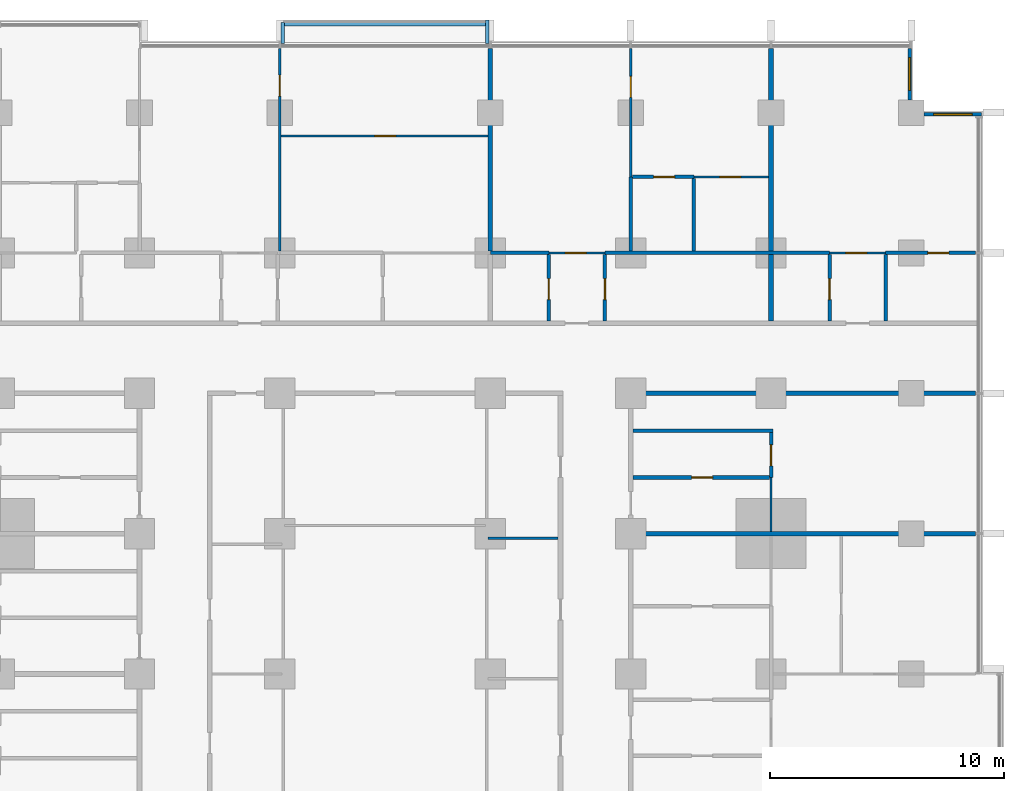
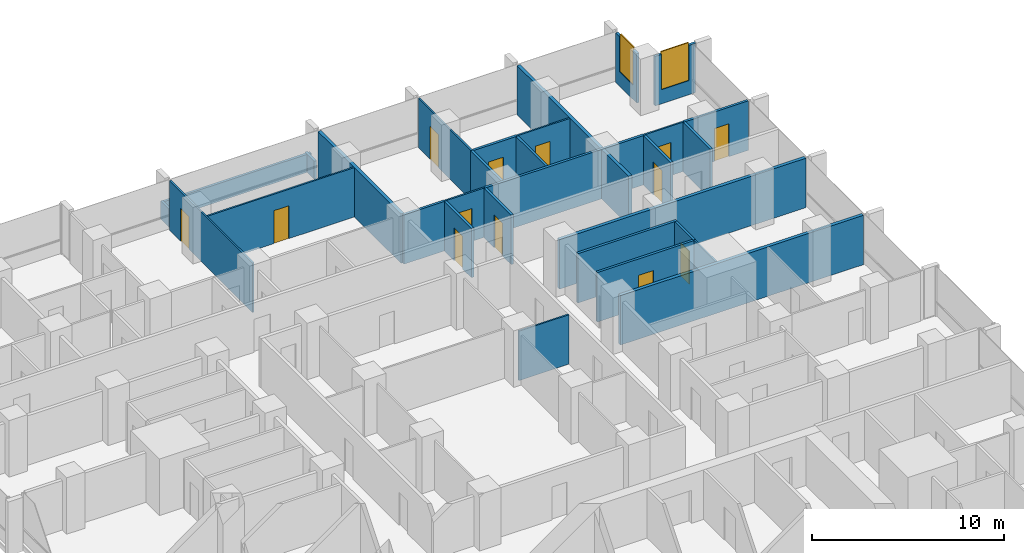
# One storey, part 12 of 18: 31 walls, 13 doors, 2 windows, 15 openings.
"""IFC4 building model written with IfcOpenShell, lengths in metres."""

import ifcopenshell
import ifcopenshell.guid

model = None  # the IFC model being written
_history = None  # IfcOwnerHistory: only IFC2X3 demands one
_inside = {}  # id of a spatial element -> (the spatial element, [elements in it])
_under = {}  # id of a project, library or spatial element -> (it, [spatial elements below it])
_declared = {}  # id of a project -> (the project, [libraries it declares])
_typed = {}  # id of a type object -> (the type object, [elements of that type])
_made_of = {}  # id of a material, layer set ... -> (it, [elements and type objects made of it])


def new_model(schema):
    """Start an empty IFC model of exactly this schema.

    Asked for "IFC4X3", IfcOpenShell would pick the latest addendum, in which some entities
    have other attributes; the version numbers below select the first issue.
    IFC2X3 requires an IfcOwnerHistory on every rooted entity: one is made here for all.
    """
    global model, _history
    if schema == "IFC4X3":
        model = ifcopenshell.file(schema_version=(4, 3, 0, 0))
    else:
        model = ifcopenshell.file(schema=schema)
    _inside.clear()
    _under.clear()
    _declared.clear()
    _typed.clear()
    _made_of.clear()
    _history = None
    if model.schema == "IFC2X3":
        org = make("IfcOrganization", Name="unknown")
        user = make(
            "IfcPersonAndOrganization",
            ThePerson=make("IfcPerson", FamilyName="unknown"),
            TheOrganization=org,
        )
        app = make(
            "IfcApplication",
            ApplicationDeveloper=org,
            Version="unknown",
            ApplicationFullName="unknown",
            ApplicationIdentifier="unknown",
        )
        _history = make(
            "IfcOwnerHistory",
            OwningUser=user,
            OwningApplication=app,
            ChangeAction="ADDED",
            CreationDate=0,
        )
    return model


def make(cls, **values):
    """One entity of the class cls with the attributes given. An attribute that is None is left unset."""
    return model.create_entity(
        cls, **{name: value for name, value in values.items() if value is not None}
    )


def rooted(cls, **values):
    """An entity with a GlobalId (a new one), such as an element, a storey or a relation."""
    return make(cls, GlobalId=ifcopenshell.guid.new(), OwnerHistory=_history, **values)


def si_unit(unit_type, name, prefix=None):
    """IfcSIUnit, for example si_unit("LENGTHUNIT", "METRE", prefix="MILLI")."""
    return make("IfcSIUnit", UnitType=unit_type, Prefix=prefix, Name=name)


def assignment(units):
    """IfcUnitAssignment: the units of a project."""
    return None if units is None else make("IfcUnitAssignment", Units=units)


def point(xyz):
    """IfcCartesianPoint."""
    return None if xyz is None else make("IfcCartesianPoint", Coordinates=xyz)


def direction(xyz):
    """IfcDirection."""
    return None if xyz is None else make("IfcDirection", DirectionRatios=xyz)


def frame(location, z_axis=None, x_axis=None):
    """IfcAxis2Placement3D, a coordinate frame: its origin and axes. An axis left out is left unset."""
    return make(
        "IfcAxis2Placement3D",
        Location=point(location),
        Axis=direction(z_axis),
        RefDirection=direction(x_axis),
    )


def frame_2d(location, x_axis=None):
    """IfcAxis2Placement2D, a coordinate frame in the plane: its origin and x axis."""
    return make(
        "IfcAxis2Placement2D", Location=point(location), RefDirection=direction(x_axis)
    )


def origin():
    """The frame at (0, 0, 0) with its axes left unset."""
    return frame((0.0, 0.0, 0.0))


def place(relative_to, where):
    """IfcLocalPlacement: puts the frame where relative to a parent placement (None: the world)."""
    return make(
        "IfcLocalPlacement", PlacementRelTo=relative_to, RelativePlacement=where
    )


def context(
    kind, dimensions, precision=None, world=None, true_north=None, identifier=None
):
    """IfcGeometricRepresentationContext, for example the 3D "Model" context."""
    return make(
        "IfcGeometricRepresentationContext",
        ContextIdentifier=identifier,
        ContextType=kind,
        CoordinateSpaceDimension=dimensions,
        Precision=precision,
        WorldCoordinateSystem=world,
        TrueNorth=true_north,
    )


def subcontext(parent, identifier, kind, view, scale=None):
    """IfcGeometricRepresentationSubContext, for example "Body" below "Model"."""
    return make(
        "IfcGeometricRepresentationSubContext",
        ContextIdentifier=identifier,
        ContextType=kind,
        ParentContext=parent,
        TargetScale=scale,
        TargetView=view,
    )


def project(units=None, contexts=None):
    """IfcProject with its units and contexts."""
    return rooted(
        "IfcProject",
        Name="project",
        RepresentationContexts=contexts,
        UnitsInContext=assignment(units),
    )


def spatial(cls, under=None, at=None, **own):
    """A site, building, storey or space (cls), placed at a placement, below another one or the project."""
    s = rooted(cls, ObjectPlacement=at, **own)
    if under is not None:
        _under.setdefault(under.id(), (under, []))[1].append(s)
    return s


def profile(cls, at=None, kind="AREA", **sizes):
    """A parametric profile (cls). Its sizes go by their IFC names, for example OverallWidth=200.0."""
    return make(cls, ProfileType=kind, Position=at, **sizes)


def rectangle(**sizes):
    """IfcRectangleProfileDef."""
    return profile("IfcRectangleProfileDef", **sizes)


def extrude(swept, where, along, depth):
    """IfcExtrudedAreaSolid: the profile swept, set in the frame where, extruded along a direction by depth."""
    return make(
        "IfcExtrudedAreaSolid",
        SweptArea=swept,
        Position=where,
        ExtrudedDirection=direction(along),
        Depth=depth,
    )


def shape(context_of_items, identifier, shape_type, items):
    """IfcShapeRepresentation: the items that make up one representation, for example the "Body"."""
    return make(
        "IfcShapeRepresentation",
        ContextOfItems=context_of_items,
        RepresentationIdentifier=identifier,
        RepresentationType=shape_type,
        Items=items,
    )


def material(Name=None, Category=None):
    """IfcMaterial."""
    return make("IfcMaterial", Name=Name, Category=Category)


def layer(
    of_material, thickness, ventilated=None, Name=None, Category=None, Priority=None
):
    """IfcMaterialLayer: one layer of a wall or slab, of a material (None: an air gap)."""
    return make(
        "IfcMaterialLayer",
        Material=of_material,
        LayerThickness=thickness,
        IsVentilated=ventilated,
        Name=Name,
        Category=Category,
        Priority=Priority,
    )


def layer_set(layers, Name=None):
    """IfcMaterialLayerSet."""
    return make("IfcMaterialLayerSet", MaterialLayers=layers, LayerSetName=Name)


def made_of(thing, what):
    """Note that an element or type object is made of a material, layer set ...; save() writes the relation."""
    if what is not None:
        _made_of.setdefault(what.id(), (what, []))[1].append(thing)
    return thing


def type_object(cls, material=None, **own):
    """A type object (cls), such as IfcWallType, which elements share."""
    return made_of(rooted(cls, **own), material)


def element(
    cls,
    number,
    at=None,
    inside=None,
    cuts=None,
    type_object=None,
    material=None,
    context=None,
    identifier="Body",
    shape_type=None,
    held_by="IfcProductDefinitionShape",
    body=None,
    shapes=None,
    **own,
):
    """One element of the class cls, such as IfcWall. Its Tag is "e" and its number.

    at: its placement. inside: the storey or other place that contains it. cuts: it is an
    opening in that element (IfcRelVoidsElement). A single representation is given by context,
    identifier, shape_type and body (its items); several are given by shapes. held_by: the class
    of the entity that holds the representations. save() writes the other relations.
    """
    e = rooted(cls, Tag="e%d" % number, ObjectPlacement=at, **own)
    if body is not None:
        shapes = [shape(context, identifier, shape_type, body)]
    if shapes is not None:
        e.Representation = make(held_by, Representations=shapes)
    if inside is not None:
        _inside.setdefault(inside.id(), (inside, []))[1].append(e)
    if cuts is not None:
        rooted(
            "IfcRelVoidsElement", RelatingBuildingElement=cuts, RelatedOpeningElement=e
        )
    if type_object is not None:
        _typed.setdefault(type_object.id(), (type_object, []))[1].append(e)
    return made_of(e, material)


def fill(opening, filler):
    """IfcRelFillsElement: the door or window that sits in an opening."""
    return rooted(
        "IfcRelFillsElement",
        RelatingOpeningElement=opening,
        RelatedBuildingElement=filler,
    )


def aggregate(whole, parts):
    """IfcRelAggregates: a whole, such as a stair, and the parts it consists of."""
    return rooted("IfcRelAggregates", RelatingObject=whole, RelatedObjects=parts)


def save(model, path):
    """Write the relations noted so far, then the file.

    IfcRelAggregates (storeys below a building ...), IfcRelContainedInSpatialStructure (elements
    in a storey), IfcRelDefinesByType, IfcRelAssociatesMaterial and IfcRelDeclares: one each for
    every whole, place, type object, material and project.
    """
    for whole, parts in _under.values():
        aggregate(whole, parts)
    for where, things in _inside.values():
        rooted(
            "IfcRelContainedInSpatialStructure",
            RelatedElements=things,
            RelatingStructure=where,
        )
    for kind, things in _typed.values():
        rooted("IfcRelDefinesByType", RelatedObjects=things, RelatingType=kind)
    for what, things in _made_of.values():
        rooted("IfcRelAssociatesMaterial", RelatedObjects=things, RelatingMaterial=what)
    for by, libraries in _declared.values():
        rooted("IfcRelDeclares", RelatingContext=by, RelatedDefinitions=libraries)
    model.write(path)


model = new_model("IFC4")

# Units and contexts
model_context = context("Model", 3, precision=1e-05, world=origin(), true_north=direction((0.0, 1.0)))
body_context = subcontext(model_context, "Body", "Model", "MODEL_VIEW")
ifc_project = project(units=[si_unit("LENGTHUNIT", "METRE"), si_unit("AREAUNIT", "SQUARE_METRE"), si_unit("VOLUMEUNIT", "CUBIC_METRE"), si_unit("PLANEANGLEUNIT", "RADIAN"), si_unit("MASSUNIT", "GRAM", prefix="KILO")], contexts=[model_context])

# Site, building, storey
site_placement = place(None, origin())
site = spatial("IfcSite", under=ifc_project, at=site_placement, CompositionType="ELEMENT")
building_placement = place(site_placement, origin())
building = spatial("IfcBuilding", under=site, at=building_placement, Name="Finial Court Residences", CompositionType="ELEMENT")
storey_placement = place(building_placement, frame((0.0, 0.0, 72.10009765625)))
storey = spatial("IfcBuildingStorey", under=building, at=storey_placement, Name="L17", CompositionType="ELEMENT", Elevation=72.10009765625)

# Walls
ifc_material_1 = material(Name="Gypsum board")
ifc_layer_1 = layer(ifc_material_1, 0.02490234375)
ifc_material_2 = material(Name="Acoustic mineral wool in double frame")
ifc_layer_2 = layer(ifc_material_2, 0.14990234375)
ifc_layer_3 = layer(ifc_material_1, 0.02490234375)
ifc_layer_set_1 = layer_set([ifc_layer_1, ifc_layer_2, ifc_layer_3], Name="Acoustic party wall 200, 1 hour")
wall_type_1 = type_object("IfcWallType", Name="Acoustic party wall 200, 1 hour", PredefinedType="PARTITIONING", material=ifc_layer_set_1)
wall_1_placement = place(storey_placement, frame((10.60009765625, 7.5, 0.0), z_axis=(0.0, 0.0, 1.0), x_axis=(1.0, 0.0, 0.0)))
element("IfcWall", 1, at=wall_1_placement, inside=storey, type_object=wall_type_1, Name="Partition L17-026", PredefinedType="PARTITIONING", context=body_context, shape_type="SweptSolid", body=[
    extrude(rectangle(XDim=14.64990234375, YDim=0.199951171875, at=frame_2d((7.324951171875, 0.0))), origin(), (0.0, 0.0, 1.0), 3.14990234375),
])
wall_2_placement = place(storey_placement, frame((4.5, 19.574951171875, 0.0), z_axis=(0.0, 0.0, 1.0), x_axis=(0.0, 1.0, 0.0)))
element("IfcWall", 2, at=wall_2_placement, inside=storey, type_object=wall_type_1, Name="Partition L17-080", PredefinedType="PARTITIONING", context=body_context, shape_type="SweptSolid", body=[
    extrude(rectangle(XDim=8.675048828125, YDim=0.199951171875, at=frame_2d((4.33740234375, 0.0))), origin(), (0.0, 0.0, 1.0), 3.14990234375),
])
wall_3_placement = place(storey_placement, frame((16.5, 16.60009765625, 0.0), z_axis=(0.0, 0.0, 1.0), x_axis=(0.0, 1.0, 0.0)))
element("IfcWall", 3, at=wall_3_placement, inside=storey, type_object=wall_type_1, Name="Partition L17-092", PredefinedType="PARTITIONING", context=body_context, shape_type="SweptSolid", body=[
    extrude(rectangle(XDim=2.824951171875, YDim=0.199951171875, at=frame_2d((1.41259765625, 0.0))), origin(), (0.0, 0.0, 1.0), 3.14990234375),
])
wall_4_placement = place(storey_placement, frame((16.5, 19.574951171875, 0.0), z_axis=(0.0, 0.0, 1.0), x_axis=(0.0, 1.0, 0.0)))
element("IfcWall", 4, at=wall_4_placement, inside=storey, type_object=wall_type_1, Name="Partition L17-093", PredefinedType="PARTITIONING", context=body_context, shape_type="SweptSolid", body=[
    extrude(rectangle(XDim=8.675048828125, YDim=0.199951171875, at=frame_2d((4.33740234375, 0.0))), origin(), (0.0, 0.0, 1.0), 3.14990234375),
])
ifc_layer_4 = layer(ifc_material_1, 0.02490234375)
ifc_layer_5 = layer(ifc_material_2, 0.14990234375)
ifc_layer_6 = layer(ifc_material_1, 0.02490234375)
ifc_layer_set_2 = layer_set([ifc_layer_4, ifc_layer_5, ifc_layer_6], Name="Corridor wall 200, 1 hour")
wall_type_2 = type_object("IfcWallType", Name="Corridor wall 200, 1 hour", PredefinedType="PARTITIONING", material=ifc_layer_set_2)
wall_5_placement = place(storey_placement, frame((10.39990234375, 13.5, 0.0), z_axis=(0.0, 0.0, 1.0), x_axis=(1.0, 0.0, 0.0)))
element("IfcWall", 5, at=wall_5_placement, inside=storey, type_object=wall_type_2, Name="Partition L17-034", PredefinedType="PARTITIONING", context=body_context, shape_type="SweptSolid", body=[
    extrude(rectangle(XDim=14.85009765625, YDim=0.199951171875, at=frame_2d((7.425048828125, 0.0))), origin(), (0.0, 0.0, 1.0), 3.14990234375),
])
ifc_layer_7 = layer(ifc_material_1, 0.012451171875)
ifc_material_3 = material(Name="Mineral wool in light-gauge frame")
ifc_layer_8 = layer(ifc_material_3, 0.074951171875)
ifc_layer_9 = layer(ifc_material_1, 0.012451171875)
ifc_layer_set_3 = layer_set([ifc_layer_7, ifc_layer_8, ifc_layer_9], Name="Gypsum board partition 100")
wall_type_3 = type_object("IfcWallType", Name="Gypsum board partition 100", PredefinedType="PARTITIONING", material=ifc_layer_set_3)
wall_6_placement = place(storey_placement, frame((4.39990234375, 7.300048828125, 0.0), z_axis=(0.0, 0.0, 1.0), x_axis=(1.0, 0.0, 0.0)))
element("IfcWall", 6, at=wall_6_placement, inside=storey, type_object=wall_type_3, Name="Partition L17-024", PredefinedType="PARTITIONING", context=body_context, shape_type="SweptSolid", body=[
    extrude(rectangle(XDim=3.0, YDim=0.10009765625, at=frame_2d((1.5, 0.0))), origin(), (0.0, 0.0, 1.0), 3.14990234375),
])

# Wall, opening, door
wall_7_placement = place(storey_placement, frame((7.0, 19.5, 0.0), z_axis=(0.0, 0.0, 1.0), x_axis=(1.0, 0.0, 0.0)))
wall_7 = element("IfcWall", 7, at=wall_7_placement, inside=storey, type_object=wall_type_3, Name="Partition L17-040", PredefinedType="PARTITIONING", context=body_context, shape_type="SweptSolid", body=[
    extrude(rectangle(XDim=2.39990234375, YDim=0.10009765625, at=frame_2d((1.199951171875, 0.0))), origin(), (0.0, 0.0, 1.0), 3.14990234375),
])
opening_1_placement = place(wall_7_placement, frame((0.699951171875, 0.0, 0.0)))
opening_1 = element("IfcOpeningElement", 8, at=opening_1_placement, cuts=wall_7, Name="Opening L17-D023", PredefinedType="OPENING", context=body_context, shape_type="SweptSolid", body=[
    extrude(rectangle(XDim=0.89990234375, YDim=2.10009765625, at=frame_2d((0.449951171875, 1.050048828125))), frame((0.0, 0.06005859375, 0.0), z_axis=(0.0, -1.0, 0.0), x_axis=(1.0, 0.0, 0.0)), (0.0, 0.0, 1.0), 0.1201171875),
])
ifc_material_4 = material(Name="Timber door leaf in timber frame", Category="wood")
door_type = type_object("IfcDoorType", Name="Door set 900 x 2100", OperationType="SINGLE_SWING_LEFT", PredefinedType="DOOR", material=ifc_material_4)
door_1_placement = place(opening_1_placement, origin())
door_1 = element("IfcDoor", 9, at=door_1_placement, inside=storey, type_object=door_type, Name="Door L17-D023", OperationType="SINGLE_SWING_RIGHT", OverallHeight=2.10009765625, OverallWidth=0.89990234375, PredefinedType="DOOR", context=body_context, shape_type="SweptSolid", body=[
    extrude(rectangle(XDim=0.89990234375, YDim=2.10009765625, at=frame_2d((0.449951171875, 1.050048828125))), frame((0.0, 0.02490234375, 0.0), z_axis=(0.0, -1.0, 0.0), x_axis=(1.0, 0.0, 0.0)), (0.0, 0.0, 1.0), 0.050048828125),
])
fill(opening_1, door_1)

wall_8_placement = place(storey_placement, frame((19.0, 19.5, 0.0), z_axis=(0.0, 0.0, 1.0), x_axis=(1.0, 0.0, 0.0)))
wall_8 = element("IfcWall", 10, at=wall_8_placement, inside=storey, type_object=wall_type_3, Name="Partition L17-041", PredefinedType="PARTITIONING", context=body_context, shape_type="SweptSolid", body=[
    extrude(rectangle(XDim=2.39990234375, YDim=0.10009765625, at=frame_2d((1.199951171875, 0.0))), origin(), (0.0, 0.0, 1.0), 3.14990234375),
])
opening_2_placement = place(wall_8_placement, frame((0.699951171875, 0.0, 0.0)))
opening_2 = element("IfcOpeningElement", 11, at=opening_2_placement, cuts=wall_8, Name="Opening L17-D024", PredefinedType="OPENING", context=body_context, shape_type="SweptSolid", body=[
    extrude(rectangle(XDim=0.89990234375, YDim=2.10009765625, at=frame_2d((0.449951171875, 1.050048828125))), frame((0.0, 0.06005859375, 0.0), z_axis=(0.0, -1.0, 0.0), x_axis=(1.0, 0.0, 0.0)), (0.0, 0.0, 1.0), 0.1201171875),
])
door_2_placement = place(opening_2_placement, origin())
door_2 = element("IfcDoor", 12, at=door_2_placement, inside=storey, type_object=door_type, Name="Door L17-D024", OperationType="SINGLE_SWING_RIGHT", OverallHeight=2.10009765625, OverallWidth=0.89990234375, PredefinedType="DOOR", context=body_context, shape_type="SweptSolid", body=[
    extrude(rectangle(XDim=0.89990234375, YDim=2.10009765625, at=frame_2d((0.449951171875, 1.050048828125))), frame((0.0, 0.02490234375, 0.0), z_axis=(0.0, -1.0, 0.0), x_axis=(1.0, 0.0, 0.0)), (0.0, 0.0, 1.0), 0.050048828125),
])
fill(opening_2, door_2)

wall_9_placement = place(storey_placement, frame((13.199951171875, 22.75, 0.0), z_axis=(0.0, 0.0, 1.0), x_axis=(1.0, 0.0, 0.0)))
wall_9 = element("IfcWall", 13, at=wall_9_placement, inside=storey, type_object=wall_type_3, Name="Partition L17-051", PredefinedType="PARTITIONING", context=body_context, shape_type="SweptSolid", body=[
    extrude(rectangle(XDim=3.199951171875, YDim=0.10009765625, at=frame_2d((1.60009765625, 0.0))), origin(), (0.0, 0.0, 1.0), 3.14990234375),
])
opening_3_placement = place(wall_9_placement, frame((1.10009765625, 0.0, 0.0)))
opening_3 = element("IfcOpeningElement", 14, at=opening_3_placement, cuts=wall_9, Name="Opening L17-D029", PredefinedType="OPENING", context=body_context, shape_type="SweptSolid", body=[
    extrude(rectangle(XDim=0.89990234375, YDim=2.10009765625, at=frame_2d((0.449951171875, 1.050048828125))), frame((0.0, 0.06005859375, 0.0), z_axis=(0.0, -1.0, 0.0), x_axis=(1.0, 0.0, 0.0)), (0.0, 0.0, 1.0), 0.1201171875),
])
door_3_placement = place(opening_3_placement, origin())
door_3 = element("IfcDoor", 15, at=door_3_placement, inside=storey, type_object=door_type, Name="Door L17-D029", OperationType="SINGLE_SWING_LEFT", OverallHeight=2.10009765625, OverallWidth=0.89990234375, PredefinedType="DOOR", context=body_context, shape_type="SweptSolid", body=[
    extrude(rectangle(XDim=0.89990234375, YDim=2.10009765625, at=frame_2d((0.449951171875, 1.050048828125))), frame((0.0, 0.02490234375, 0.0), z_axis=(0.0, -1.0, 0.0), x_axis=(1.0, 0.0, 0.0)), (0.0, 0.0, 1.0), 0.050048828125),
])
fill(opening_3, door_3)

wall_10_placement = place(storey_placement, frame((-4.449951171875, 24.5, 0.0), z_axis=(0.0, 0.0, 1.0), x_axis=(1.0, 0.0, 0.0)))
wall_10 = element("IfcWall", 16, at=wall_10_placement, inside=storey, type_object=wall_type_3, Name="Partition L17-053", PredefinedType="PARTITIONING", context=body_context, shape_type="SweptSolid", body=[
    extrude(rectangle(XDim=8.849853515625, YDim=0.10009765625, at=frame_2d((4.4248046875, 0.0))), origin(), (0.0, 0.0, 1.0), 3.14990234375),
])
opening_4_placement = place(wall_10_placement, frame((4.0, 0.0, 0.0)))
opening_4 = element("IfcOpeningElement", 17, at=opening_4_placement, cuts=wall_10, Name="Opening L17-D031", PredefinedType="OPENING", context=body_context, shape_type="SweptSolid", body=[
    extrude(rectangle(XDim=0.89990234375, YDim=2.10009765625, at=frame_2d((0.449951171875, 1.050048828125))), frame((0.0, 0.06005859375, 0.0), z_axis=(0.0, -1.0, 0.0), x_axis=(1.0, 0.0, 0.0)), (0.0, 0.0, 1.0), 0.1201171875),
])
door_4_placement = place(opening_4_placement, origin())
door_4 = element("IfcDoor", 18, at=door_4_placement, inside=storey, type_object=door_type, Name="Door L17-D031", OperationType="SINGLE_SWING_LEFT", OverallHeight=2.10009765625, OverallWidth=0.89990234375, PredefinedType="DOOR", context=body_context, shape_type="SweptSolid", body=[
    extrude(rectangle(XDim=0.89990234375, YDim=2.10009765625, at=frame_2d((0.449951171875, 1.050048828125))), frame((0.0, 0.02490234375, 0.0), z_axis=(0.0, -1.0, 0.0), x_axis=(1.0, 0.0, 0.0)), (0.0, 0.0, 1.0), 0.050048828125),
])
fill(opening_4, door_4)

wall_11_placement = place(storey_placement, frame((-4.5, 19.574951171875, 0.0), z_axis=(0.0, 0.0, 1.0), x_axis=(0.0, 1.0, 0.0)))
wall_11 = element("IfcWall", 19, at=wall_11_placement, inside=storey, type_object=wall_type_3, Name="Partition L17-075", PredefinedType="PARTITIONING", context=body_context, shape_type="SweptSolid", body=[
    extrude(rectangle(XDim=8.675048828125, YDim=0.10009765625, at=frame_2d((4.33740234375, 0.0))), origin(), (0.0, 0.0, 1.0), 3.14990234375),
])
opening_5_placement = place(wall_11_placement, frame((6.625, 0.0, 0.0)))
opening_5 = element("IfcOpeningElement", 20, at=opening_5_placement, cuts=wall_11, Name="Opening L17-D048", PredefinedType="OPENING", context=body_context, shape_type="SweptSolid", body=[
    extrude(rectangle(XDim=0.89990234375, YDim=2.10009765625, at=frame_2d((0.449951171875, 1.050048828125))), frame((0.0, 0.06005859375, 0.0), z_axis=(0.0, -1.0, 0.0), x_axis=(1.0, 0.0, 0.0)), (0.0, 0.0, 1.0), 0.1201171875),
])
door_5_placement = place(opening_5_placement, origin())
door_5 = element("IfcDoor", 21, at=door_5_placement, inside=storey, type_object=door_type, Name="Door L17-D048", OperationType="SINGLE_SWING_RIGHT", OverallHeight=2.10009765625, OverallWidth=0.89990234375, PredefinedType="DOOR", context=body_context, shape_type="SweptSolid", body=[
    extrude(rectangle(XDim=0.89990234375, YDim=2.10009765625, at=frame_2d((0.449951171875, 1.050048828125))), frame((0.0, 0.02490234375, 0.0), z_axis=(0.0, -1.0, 0.0), x_axis=(1.0, 0.0, 0.0)), (0.0, 0.0, 1.0), 0.050048828125),
])
fill(opening_5, door_5)

wall_12_placement = place(storey_placement, frame((10.5, 22.75, 0.0), z_axis=(0.0, 0.0, 1.0), x_axis=(0.0, 1.0, 0.0)))
wall_12 = element("IfcWall", 22, at=wall_12_placement, inside=storey, type_object=wall_type_3, Name="Partition L17-085", PredefinedType="PARTITIONING", context=body_context, shape_type="SweptSolid", body=[
    extrude(rectangle(XDim=5.5, YDim=0.10009765625, at=frame_2d((2.75, 0.0))), origin(), (0.0, 0.0, 1.0), 3.14990234375),
])
opening_6_placement = place(wall_12_placement, frame((3.39990234375, 0.0, 0.0)))
opening_6 = element("IfcOpeningElement", 23, at=opening_6_placement, cuts=wall_12, Name="Opening L17-D057", PredefinedType="OPENING", context=body_context, shape_type="SweptSolid", body=[
    extrude(rectangle(XDim=0.89990234375, YDim=2.10009765625, at=frame_2d((0.449951171875, 1.050048828125))), frame((0.0, 0.06005859375, 0.0), z_axis=(0.0, -1.0, 0.0), x_axis=(1.0, 0.0, 0.0)), (0.0, 0.0, 1.0), 0.1201171875),
])
door_6_placement = place(opening_6_placement, origin())
door_6 = element("IfcDoor", 24, at=door_6_placement, inside=storey, type_object=door_type, Name="Door L17-D057", OperationType="SINGLE_SWING_RIGHT", OverallHeight=2.10009765625, OverallWidth=0.89990234375, PredefinedType="DOOR", context=body_context, shape_type="SweptSolid", body=[
    extrude(rectangle(XDim=0.89990234375, YDim=2.10009765625, at=frame_2d((0.449951171875, 1.050048828125))), frame((0.0, 0.02490234375, 0.0), z_axis=(0.0, -1.0, 0.0), x_axis=(1.0, 0.0, 0.0)), (0.0, 0.0, 1.0), 0.050048828125),
])
fill(opening_6, door_6)

# Wall
wall_13_placement = place(storey_placement, frame((16.5, 7.60009765625, 0.0), z_axis=(0.0, 0.0, 1.0), x_axis=(0.0, 1.0, 0.0)))
element("IfcWall", 25, at=wall_13_placement, inside=storey, type_object=wall_type_3, Name="Partition L17-091", PredefinedType="PARTITIONING", context=body_context, shape_type="SweptSolid", body=[
    extrude(rectangle(XDim=2.2998046875, YDim=0.10009765625, at=frame_2d((1.14990234375, 0.0))), origin(), (0.0, 0.0, 1.0), 3.14990234375),
])

# Wall, opening, door
ifc_material_5 = material(Name="Moisture-resistant gypsum board")
ifc_layer_10 = layer(ifc_material_5, 0.012451171875)
ifc_layer_11 = layer(ifc_material_3, 0.125)
ifc_layer_12 = layer(ifc_material_5, 0.012451171875)
ifc_layer_set_4 = layer_set([ifc_layer_10, ifc_layer_11, ifc_layer_12], Name="Gypsum board wet-area partition 150")
wall_type_4 = type_object("IfcWallType", Name="Gypsum board wet-area partition 150", PredefinedType="PARTITIONING", material=ifc_layer_set_4)
wall_14_placement = place(storey_placement, frame((10.60009765625, 9.89990234375, 0.0), z_axis=(0.0, 0.0, 1.0), x_axis=(1.0, 0.0, 0.0)))
wall_14 = element("IfcWall", 26, at=wall_14_placement, inside=storey, type_object=wall_type_4, Name="Partition L17-029", PredefinedType="PARTITIONING", context=body_context, shape_type="SweptSolid", body=[
    extrude(rectangle(XDim=5.824951171875, YDim=0.14990234375, at=frame_2d((2.91259765625, 0.0))), origin(), (0.0, 0.0, 1.0), 3.14990234375),
])
opening_7_placement = place(wall_14_placement, frame((2.5, 0.0, 0.0)))
opening_7 = element("IfcOpeningElement", 27, at=opening_7_placement, cuts=wall_14, Name="Opening L17-D014", PredefinedType="OPENING", context=body_context, shape_type="SweptSolid", body=[
    extrude(rectangle(XDim=0.89990234375, YDim=2.10009765625, at=frame_2d((0.449951171875, 1.050048828125))), frame((0.0, 0.0849609375, 0.0), z_axis=(0.0, -1.0, 0.0), x_axis=(1.0, 0.0, 0.0)), (0.0, 0.0, 1.0), 0.169921875),
])
door_7_placement = place(opening_7_placement, origin())
door_7 = element("IfcDoor", 28, at=door_7_placement, inside=storey, type_object=door_type, Name="Door L17-D014", OperationType="SINGLE_SWING_LEFT", OverallHeight=2.10009765625, OverallWidth=0.89990234375, PredefinedType="DOOR", context=body_context, shape_type="SweptSolid", body=[
    extrude(rectangle(XDim=0.89990234375, YDim=2.10009765625, at=frame_2d((0.449951171875, 1.050048828125))), frame((0.0, 0.02490234375, 0.0), z_axis=(0.0, -1.0, 0.0), x_axis=(1.0, 0.0, 0.0)), (0.0, 0.0, 1.0), 0.050048828125),
])
fill(opening_7, door_7)

# Walls
wall_15_placement = place(storey_placement, frame((10.60009765625, 11.89990234375, 0.0), z_axis=(0.0, 0.0, 1.0), x_axis=(1.0, 0.0, 0.0)))
element("IfcWall", 29, at=wall_15_placement, inside=storey, type_object=wall_type_4, Name="Partition L17-031", PredefinedType="PARTITIONING", context=body_context, shape_type="SweptSolid", body=[
    extrude(rectangle(XDim=5.974853515625, YDim=0.14990234375, at=frame_2d((2.9873046875, 0.0))), origin(), (0.0, 0.0, 1.0), 3.14990234375),
])
wall_16_placement = place(storey_placement, frame((4.5, 19.5, 0.0), z_axis=(0.0, 0.0, 1.0), x_axis=(1.0, 0.0, 0.0)))
element("IfcWall", 30, at=wall_16_placement, inside=storey, type_object=wall_type_4, Name="Partition L17-046", PredefinedType="PARTITIONING", context=body_context, shape_type="SweptSolid", body=[
    extrude(rectangle(XDim=2.5, YDim=0.14990234375, at=frame_2d((1.25, 0.0))), origin(), (0.0, 0.0, 1.0), 3.14990234375),
])
wall_17_placement = place(storey_placement, frame((9.39990234375, 19.5, 0.0), z_axis=(0.0, 0.0, 1.0), x_axis=(1.0, 0.0, 0.0)))
element("IfcWall", 31, at=wall_17_placement, inside=storey, type_object=wall_type_4, Name="Partition L17-047", PredefinedType="PARTITIONING", context=body_context, shape_type="SweptSolid", body=[
    extrude(rectangle(XDim=9.60009765625, YDim=0.14990234375, at=frame_2d((4.800048828125, 0.0))), origin(), (0.0, 0.0, 1.0), 3.14990234375),
])

# Wall, opening, door
wall_18_placement = place(storey_placement, frame((21.39990234375, 19.5, 0.0), z_axis=(0.0, 0.0, 1.0), x_axis=(1.0, 0.0, 0.0)))
wall_18 = element("IfcWall", 32, at=wall_18_placement, inside=storey, type_object=wall_type_4, Name="Partition L17-048", PredefinedType="PARTITIONING", context=body_context, shape_type="SweptSolid", body=[
    extrude(rectangle(XDim=3.85009765625, YDim=0.14990234375, at=frame_2d((1.925048828125, 0.0))), origin(), (0.0, 0.0, 1.0), 3.14990234375),
])
opening_8_placement = place(wall_18_placement, frame((1.800048828125, 0.0, 0.0)))
opening_8 = element("IfcOpeningElement", 33, at=opening_8_placement, cuts=wall_18, Name="Opening L17-D026", PredefinedType="OPENING", context=body_context, shape_type="SweptSolid", body=[
    extrude(rectangle(XDim=0.89990234375, YDim=2.10009765625, at=frame_2d((0.449951171875, 1.050048828125))), frame((0.0, 0.0849609375, 0.0), z_axis=(0.0, -1.0, 0.0), x_axis=(1.0, 0.0, 0.0)), (0.0, 0.0, 1.0), 0.169921875),
])
door_8_placement = place(opening_8_placement, origin())
door_8 = element("IfcDoor", 34, at=door_8_placement, inside=storey, type_object=door_type, Name="Door L17-D026", OperationType="SINGLE_SWING_RIGHT", OverallHeight=2.10009765625, OverallWidth=0.89990234375, PredefinedType="DOOR", context=body_context, shape_type="SweptSolid", body=[
    extrude(rectangle(XDim=0.89990234375, YDim=2.10009765625, at=frame_2d((0.449951171875, 1.050048828125))), frame((0.0, 0.02490234375, 0.0), z_axis=(0.0, -1.0, 0.0), x_axis=(1.0, 0.0, 0.0)), (0.0, 0.0, 1.0), 0.050048828125),
])
fill(opening_8, door_8)

wall_19_placement = place(storey_placement, frame((10.574951171875, 22.75, 0.0), z_axis=(0.0, 0.0, 1.0), x_axis=(1.0, 0.0, 0.0)))
wall_19 = element("IfcWall", 35, at=wall_19_placement, inside=storey, type_object=wall_type_4, Name="Partition L17-052", PredefinedType="PARTITIONING", context=body_context, shape_type="SweptSolid", body=[
    extrude(rectangle(XDim=2.625, YDim=0.14990234375, at=frame_2d((1.3125, 0.0))), origin(), (0.0, 0.0, 1.0), 3.14990234375),
])
opening_9_placement = place(wall_19_placement, frame((0.89990234375, 0.0, 0.0)))
opening_9 = element("IfcOpeningElement", 36, at=opening_9_placement, cuts=wall_19, Name="Opening L17-D030", PredefinedType="OPENING", context=body_context, shape_type="SweptSolid", body=[
    extrude(rectangle(XDim=0.89990234375, YDim=2.10009765625, at=frame_2d((0.449951171875, 1.050048828125))), frame((0.0, 0.0849609375, 0.0), z_axis=(0.0, -1.0, 0.0), x_axis=(1.0, 0.0, 0.0)), (0.0, 0.0, 1.0), 0.169921875),
])
door_9_placement = place(opening_9_placement, origin())
door_9 = element("IfcDoor", 37, at=door_9_placement, inside=storey, type_object=door_type, Name="Door L17-D030", OperationType="SINGLE_SWING_RIGHT", OverallHeight=2.10009765625, OverallWidth=0.89990234375, PredefinedType="DOOR", context=body_context, shape_type="SweptSolid", body=[
    extrude(rectangle(XDim=0.89990234375, YDim=2.10009765625, at=frame_2d((0.449951171875, 1.050048828125))), frame((0.0, 0.02490234375, 0.0), z_axis=(0.0, -1.0, 0.0), x_axis=(1.0, 0.0, 0.0)), (0.0, 0.0, 1.0), 0.050048828125),
])
fill(opening_9, door_9)

wall_20_placement = place(storey_placement, frame((7.0, 16.60009765625, 0.0), z_axis=(0.0, 0.0, 1.0), x_axis=(0.0, 1.0, 0.0)))
wall_20 = element("IfcWall", 38, at=wall_20_placement, inside=storey, type_object=wall_type_4, Name="Partition L17-081", PredefinedType="PARTITIONING", context=body_context, shape_type="SweptSolid", body=[
    extrude(rectangle(XDim=2.824951171875, YDim=0.14990234375, at=frame_2d((1.41259765625, 0.0))), origin(), (0.0, 0.0, 1.0), 3.14990234375),
])
opening_10_placement = place(wall_20_placement, frame((0.89990234375, 0.0, 0.0)))
opening_10 = element("IfcOpeningElement", 39, at=opening_10_placement, cuts=wall_20, Name="Opening L17-D050", PredefinedType="OPENING", context=body_context, shape_type="SweptSolid", body=[
    extrude(rectangle(XDim=0.89990234375, YDim=2.10009765625, at=frame_2d((0.449951171875, 1.050048828125))), frame((0.0, 0.0849609375, 0.0), z_axis=(0.0, -1.0, 0.0), x_axis=(1.0, 0.0, 0.0)), (0.0, 0.0, 1.0), 0.169921875),
])
door_10_placement = place(opening_10_placement, origin())
door_10 = element("IfcDoor", 40, at=door_10_placement, inside=storey, type_object=door_type, Name="Door L17-D050", OperationType="SINGLE_SWING_RIGHT", OverallHeight=2.10009765625, OverallWidth=0.89990234375, PredefinedType="DOOR", context=body_context, shape_type="SweptSolid", body=[
    extrude(rectangle(XDim=0.89990234375, YDim=2.10009765625, at=frame_2d((0.449951171875, 1.050048828125))), frame((0.0, 0.02490234375, 0.0), z_axis=(0.0, -1.0, 0.0), x_axis=(1.0, 0.0, 0.0)), (0.0, 0.0, 1.0), 0.050048828125),
])
fill(opening_10, door_10)

wall_21_placement = place(storey_placement, frame((9.39990234375, 16.60009765625, 0.0), z_axis=(0.0, 0.0, 1.0), x_axis=(0.0, 1.0, 0.0)))
wall_21 = element("IfcWall", 41, at=wall_21_placement, inside=storey, type_object=wall_type_4, Name="Partition L17-083", PredefinedType="PARTITIONING", context=body_context, shape_type="SweptSolid", body=[
    extrude(rectangle(XDim=2.824951171875, YDim=0.14990234375, at=frame_2d((1.41259765625, 0.0))), origin(), (0.0, 0.0, 1.0), 3.14990234375),
])
opening_11_placement = place(wall_21_placement, frame((0.89990234375, 0.0, 0.0)))
opening_11 = element("IfcOpeningElement", 42, at=opening_11_placement, cuts=wall_21, Name="Opening L17-D054", PredefinedType="OPENING", context=body_context, shape_type="SweptSolid", body=[
    extrude(rectangle(XDim=0.89990234375, YDim=2.10009765625, at=frame_2d((0.449951171875, 1.050048828125))), frame((0.0, 0.0849609375, 0.0), z_axis=(0.0, -1.0, 0.0), x_axis=(1.0, 0.0, 0.0)), (0.0, 0.0, 1.0), 0.169921875),
])
door_11_placement = place(opening_11_placement, origin())
door_11 = element("IfcDoor", 43, at=door_11_placement, inside=storey, type_object=door_type, Name="Door L17-D054", OperationType="SINGLE_SWING_RIGHT", OverallHeight=2.10009765625, OverallWidth=0.89990234375, PredefinedType="DOOR", context=body_context, shape_type="SweptSolid", body=[
    extrude(rectangle(XDim=0.89990234375, YDim=2.10009765625, at=frame_2d((0.449951171875, 1.050048828125))), frame((0.0, 0.02490234375, 0.0), z_axis=(0.0, -1.0, 0.0), x_axis=(1.0, 0.0, 0.0)), (0.0, 0.0, 1.0), 0.050048828125),
])
fill(opening_11, door_11)

# Walls
wall_22_placement = place(storey_placement, frame((10.5, 19.574951171875, 0.0), z_axis=(0.0, 0.0, 1.0), x_axis=(0.0, 1.0, 0.0)))
element("IfcWall", 44, at=wall_22_placement, inside=storey, type_object=wall_type_4, Name="Partition L17-086", PredefinedType="PARTITIONING", context=body_context, shape_type="SweptSolid", body=[
    extrude(rectangle(XDim=3.175048828125, YDim=0.14990234375, at=frame_2d((1.58740234375, 0.0))), origin(), (0.0, 0.0, 1.0), 3.14990234375),
])
wall_23_placement = place(storey_placement, frame((13.199951171875, 19.574951171875, 0.0), z_axis=(0.0, 0.0, 1.0), x_axis=(0.0, 1.0, 0.0)))
element("IfcWall", 45, at=wall_23_placement, inside=storey, type_object=wall_type_4, Name="Partition L17-087", PredefinedType="PARTITIONING", context=body_context, shape_type="SweptSolid", body=[
    extrude(rectangle(XDim=3.10009765625, YDim=0.14990234375, at=frame_2d((1.550048828125, 0.0))), origin(), (0.0, 0.0, 1.0), 3.14990234375),
])

# Wall, opening, door
wall_24_placement = place(storey_placement, frame((16.5, 9.89990234375, 0.0), z_axis=(0.0, 0.0, 1.0), x_axis=(0.0, 1.0, 0.0)))
wall_24 = element("IfcWall", 46, at=wall_24_placement, inside=storey, type_object=wall_type_4, Name="Partition L17-098", PredefinedType="PARTITIONING", context=body_context, shape_type="SweptSolid", body=[
    extrude(rectangle(XDim=1.925048828125, YDim=0.14990234375, at=frame_2d((0.96240234375, 0.0))), origin(), (0.0, 0.0, 1.0), 3.14990234375),
])
opening_12_placement = place(wall_24_placement, frame((0.5, 0.0, 0.0)))
opening_12 = element("IfcOpeningElement", 47, at=opening_12_placement, cuts=wall_24, Name="Opening L17-D060", PredefinedType="OPENING", context=body_context, shape_type="SweptSolid", body=[
    extrude(rectangle(XDim=0.89990234375, YDim=2.10009765625, at=frame_2d((0.449951171875, 1.050048828125))), frame((0.0, 0.0849609375, 0.0), z_axis=(0.0, -1.0, 0.0), x_axis=(1.0, 0.0, 0.0)), (0.0, 0.0, 1.0), 0.169921875),
])
door_12_placement = place(opening_12_placement, origin())
door_12 = element("IfcDoor", 48, at=door_12_placement, inside=storey, type_object=door_type, Name="Door L17-D060", OperationType="SINGLE_SWING_LEFT", OverallHeight=2.10009765625, OverallWidth=0.89990234375, PredefinedType="DOOR", context=body_context, shape_type="SweptSolid", body=[
    extrude(rectangle(XDim=0.89990234375, YDim=2.10009765625, at=frame_2d((0.449951171875, 1.050048828125))), frame((0.0, 0.02490234375, 0.0), z_axis=(0.0, -1.0, 0.0), x_axis=(1.0, 0.0, 0.0)), (0.0, 0.0, 1.0), 0.050048828125),
])
fill(opening_12, door_12)

wall_25_placement = place(storey_placement, frame((19.0, 16.60009765625, 0.0), z_axis=(0.0, 0.0, 1.0), x_axis=(0.0, 1.0, 0.0)))
wall_25 = element("IfcWall", 49, at=wall_25_placement, inside=storey, type_object=wall_type_4, Name="Partition L17-099", PredefinedType="PARTITIONING", context=body_context, shape_type="SweptSolid", body=[
    extrude(rectangle(XDim=2.824951171875, YDim=0.14990234375, at=frame_2d((1.41259765625, 0.0))), origin(), (0.0, 0.0, 1.0), 3.14990234375),
])
opening_13_placement = place(wall_25_placement, frame((0.89990234375, 0.0, 0.0)))
opening_13 = element("IfcOpeningElement", 50, at=opening_13_placement, cuts=wall_25, Name="Opening L17-D061", PredefinedType="OPENING", context=body_context, shape_type="SweptSolid", body=[
    extrude(rectangle(XDim=0.89990234375, YDim=2.10009765625, at=frame_2d((0.449951171875, 1.050048828125))), frame((0.0, 0.0849609375, 0.0), z_axis=(0.0, -1.0, 0.0), x_axis=(1.0, 0.0, 0.0)), (0.0, 0.0, 1.0), 0.169921875),
])
door_13_placement = place(opening_13_placement, origin())
door_13 = element("IfcDoor", 51, at=door_13_placement, inside=storey, type_object=door_type, Name="Door L17-D061", OperationType="SINGLE_SWING_RIGHT", OverallHeight=2.10009765625, OverallWidth=0.89990234375, PredefinedType="DOOR", context=body_context, shape_type="SweptSolid", body=[
    extrude(rectangle(XDim=0.89990234375, YDim=2.10009765625, at=frame_2d((0.449951171875, 1.050048828125))), frame((0.0, 0.02490234375, 0.0), z_axis=(0.0, -1.0, 0.0), x_axis=(1.0, 0.0, 0.0)), (0.0, 0.0, 1.0), 0.050048828125),
])
fill(opening_13, door_13)

# Walls
wall_26_placement = place(storey_placement, frame((21.39990234375, 16.60009765625, 0.0), z_axis=(0.0, 0.0, 1.0), x_axis=(0.0, 1.0, 0.0)))
element("IfcWall", 52, at=wall_26_placement, inside=storey, type_object=wall_type_4, Name="Partition L17-104", PredefinedType="PARTITIONING", context=body_context, shape_type="SweptSolid", body=[
    extrude(rectangle(XDim=2.824951171875, YDim=0.14990234375, at=frame_2d((1.41259765625, 0.0))), origin(), (0.0, 0.0, 1.0), 3.14990234375),
])
ifc_material_6 = material(Name="Concrete C35/45", Category="concrete")
ifc_layer_13 = layer(ifc_material_6, 0.14990234375)
ifc_layer_set_5 = layer_set([ifc_layer_13], Name="Ledge parapet, Concrete C35/45 150")
wall_type_5 = type_object("IfcWallType", Name="Ledge parapet, Concrete C35/45 150", PredefinedType="PARAPET", material=ifc_layer_set_5)
wall_27_placement = place(storey_placement, frame((4.375, 29.449951171875, 0.0), z_axis=(0.0, 0.0, 1.0), x_axis=(0.0, -1.0, 0.0)))
element("IfcWall", 53, at=wall_27_placement, inside=storey, type_object=wall_type_5, Name="E-L17-LED3-P1", PredefinedType="PARAPET", context=body_context, shape_type="SweptSolid", body=[
    extrude(rectangle(XDim=0.989990234375, YDim=0.14990234375, at=frame_2d((0.4951171875, 0.0))), origin(), (0.0, 0.0, 1.0), 1.14990234375),
])
wall_28_placement = place(storey_placement, frame((-4.375, 28.4599609375, 0.0), z_axis=(0.0, 0.0, 1.0), x_axis=(0.0, 1.0, 0.0)))
element("IfcWall", 54, at=wall_28_placement, inside=storey, type_object=wall_type_5, Name="E-L17-LED3-P2", PredefinedType="PARAPET", context=body_context, shape_type="SweptSolid", body=[
    extrude(rectangle(XDim=0.89013671875, YDim=0.14990234375, at=frame_2d((0.445068359375, 0.0))), origin(), (0.0, 0.0, 1.0), 1.14990234375),
])
wall_29_placement = place(storey_placement, frame((-4.300048828125, 29.27490234375, 0.0), z_axis=(0.0, 0.0, 1.0), x_axis=(1.0, 0.0, 0.0)))
element("IfcWall", 55, at=wall_29_placement, inside=storey, type_object=wall_type_5, Name="E-L17-LED3-P3", PredefinedType="PARAPET", context=body_context, shape_type="SweptSolid", body=[
    extrude(rectangle(XDim=8.85009765625, YDim=0.14990234375, at=frame_2d((4.425048828125, 0.0))), origin(), (0.0, 0.0, 1.0), 1.14990234375),
])

# Wall, opening, window
ifc_material_7 = material(Name="Natural limestone", Category="masonry")
ifc_layer_14 = layer(ifc_material_7, 0.14990234375)
ifc_layer_set_6 = layer_set([ifc_layer_14], Name="Limestone clad wall 150")
wall_type_6 = type_object("IfcWallType", Name="Limestone clad wall 150", PredefinedType="SOLIDWALL", material=ifc_layer_set_6)
wall_30_placement = place(storey_placement, frame((22.425048828125, 28.25, 0.0), z_axis=(0.0, 0.0, 1.0), x_axis=(0.0, -1.0, 0.0)))
wall_30 = element("IfcWall", 56, at=wall_30_placement, inside=storey, type_object=wall_type_6, Name="E-L17-NWE18", PredefinedType="SOLIDWALL", context=body_context, shape_type="SweptSolid", body=[
    extrude(rectangle(XDim=2.199951171875, YDim=0.14990234375, at=frame_2d((1.10009765625, 0.0))), origin(), (0.0, 0.0, 1.0), 3.14990234375),
])
opening_14_placement = place(wall_30_placement, frame((0.39990234375, 0.0, 0.89990234375)))
opening_14 = element("IfcOpeningElement", 57, at=opening_14_placement, cuts=wall_30, Name="Opening WE17-07", PredefinedType="OPENING", context=body_context, shape_type="SweptSolid", body=[
    extrude(rectangle(XDim=1.39990234375, YDim=2.39990234375, at=frame_2d((0.699951171875, 1.199951171875))), frame((0.0, 0.0849609375, 0.0), z_axis=(0.0, -1.0, 0.0), x_axis=(1.0, 0.0, 0.0)), (0.0, 0.0, 1.0), 0.169921875),
])
ifc_material_8 = material(Name="Clear low-e glass", Category="glass")
window_type_1 = type_object("IfcWindowType", Name="Corner window 1400 x 2400", PartitioningType="SINGLE_PANEL", PredefinedType="WINDOW", material=ifc_material_8)
window_1_placement = place(opening_14_placement, origin())
window_1 = element("IfcWindow", 58, at=window_1_placement, inside=storey, type_object=window_type_1, Name="E-L17-NWE18-W1", OverallHeight=2.39990234375, OverallWidth=1.39990234375, PartitioningType="SINGLE_PANEL", PredefinedType="WINDOW", context=body_context, shape_type="SweptSolid", body=[
    extrude(rectangle(XDim=1.39990234375, YDim=2.39990234375, at=frame_2d((0.699951171875, 1.199951171875))), frame((0.0, 0.030029296875, 0.0), z_axis=(0.0, -1.0, 0.0), x_axis=(1.0, 0.0, 0.0)), (0.0, 0.0, 1.0), 0.06005859375),
])
fill(opening_14, window_1)

wall_31_placement = place(storey_placement, frame((23.050048828125, 25.425048828125, 0.0), z_axis=(0.0, 0.0, 1.0), x_axis=(1.0, 0.0, 0.0)))
wall_31 = element("IfcWall", 59, at=wall_31_placement, inside=storey, type_object=wall_type_6, Name="E-L17-NWN19", PredefinedType="SOLIDWALL", context=body_context, shape_type="SweptSolid", body=[
    extrude(rectangle(XDim=2.449951171875, YDim=0.14990234375, at=frame_2d((1.22509765625, 0.0))), origin(), (0.0, 0.0, 1.0), 3.14990234375),
])
opening_15_placement = place(wall_31_placement, frame((0.39990234375, 0.0, 0.89990234375)))
opening_15 = element("IfcOpeningElement", 60, at=opening_15_placement, cuts=wall_31, Name="Opening WE17-08", PredefinedType="OPENING", context=body_context, shape_type="SweptSolid", body=[
    extrude(rectangle(XDim=1.64990234375, YDim=2.39990234375, at=frame_2d((0.824951171875, 1.199951171875))), frame((0.0, 0.0849609375, 0.0), z_axis=(0.0, -1.0, 0.0), x_axis=(1.0, 0.0, 0.0)), (0.0, 0.0, 1.0), 0.169921875),
])
window_type_2 = type_object("IfcWindowType", Name="Corner window 1650 x 2400", PartitioningType="SINGLE_PANEL", PredefinedType="WINDOW", material=ifc_material_8)
window_2_placement = place(opening_15_placement, origin())
window_2 = element("IfcWindow", 61, at=window_2_placement, inside=storey, type_object=window_type_2, Name="E-L17-NWN19-W1", OverallHeight=2.39990234375, OverallWidth=1.64990234375, PartitioningType="SINGLE_PANEL", PredefinedType="WINDOW", context=body_context, shape_type="SweptSolid", body=[
    extrude(rectangle(XDim=1.64990234375, YDim=2.39990234375, at=frame_2d((0.824951171875, 1.199951171875))), frame((0.0, 0.030029296875, 0.0), z_axis=(0.0, -1.0, 0.0), x_axis=(1.0, 0.0, 0.0)), (0.0, 0.0, 1.0), 0.06005859375),
])
fill(opening_15, window_2)

save(model, "model.ifc")
